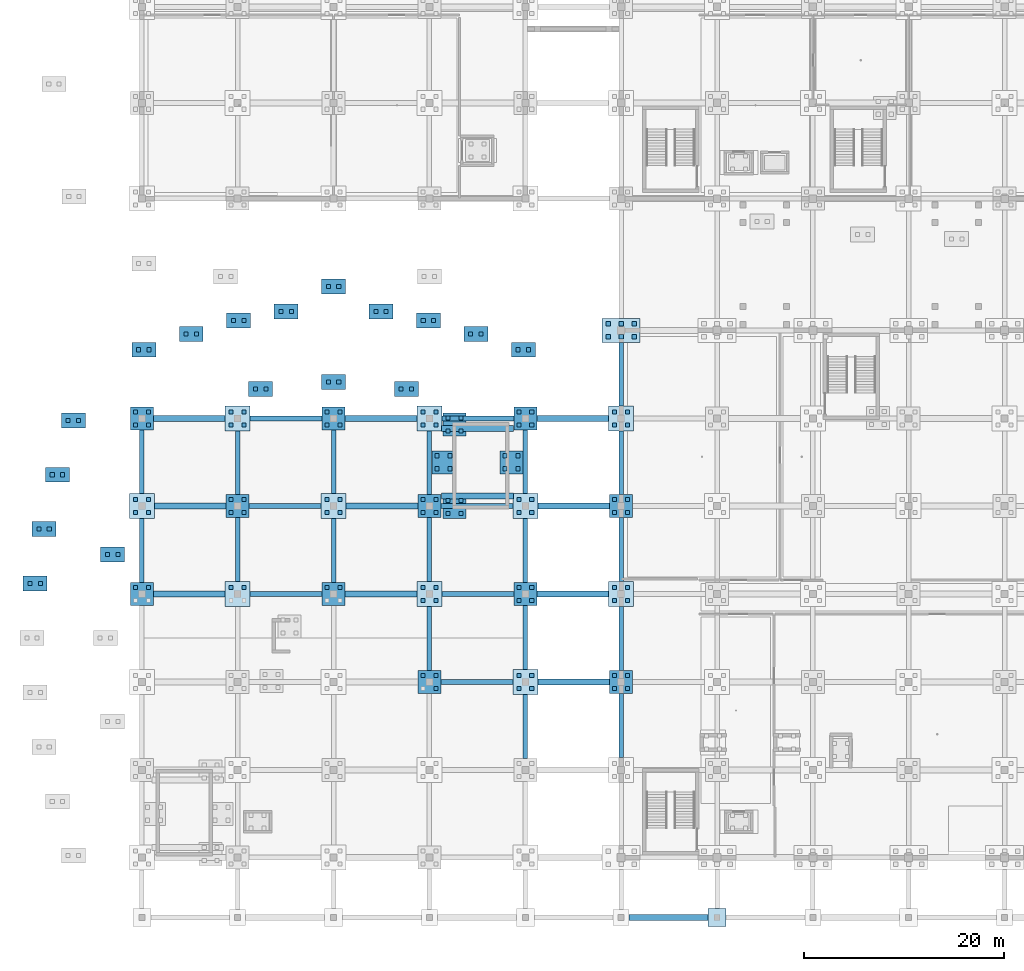
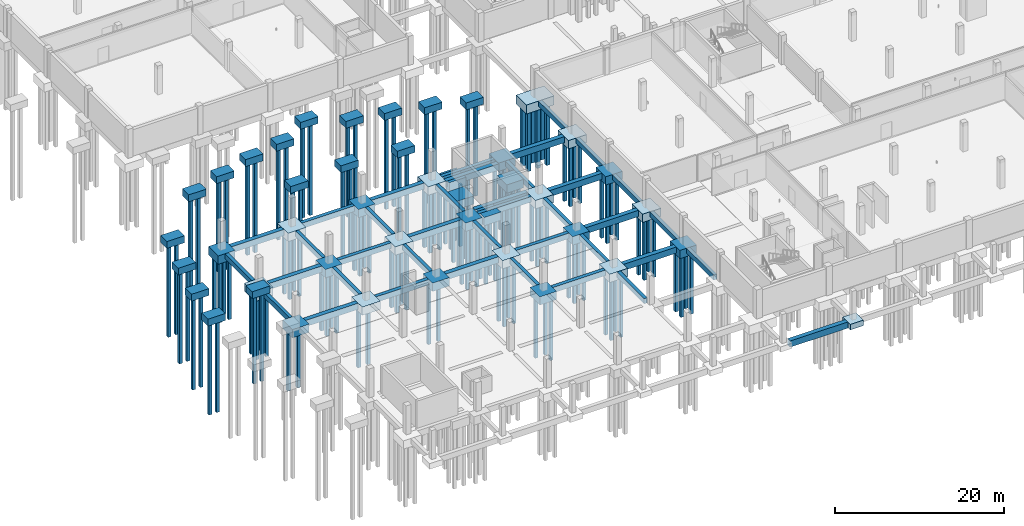
# One storey, part 2 of 31: 133 piles, 82 footings.
"""IFC4 building model written with IfcOpenShell, lengths in metres."""

import ifcopenshell
import ifcopenshell.guid

model = None  # the IFC model being written
_history = None  # IfcOwnerHistory: only IFC2X3 demands one
_inside = {}  # id of a spatial element -> (the spatial element, [elements in it])
_under = {}  # id of a project, library or spatial element -> (it, [spatial elements below it])
_declared = {}  # id of a project -> (the project, [libraries it declares])
_typed = {}  # id of a type object -> (the type object, [elements of that type])
_made_of = {}  # id of a material, layer set ... -> (it, [elements and type objects made of it])


def new_model(schema):
    """Start an empty IFC model of exactly this schema.

    Asked for "IFC4X3", IfcOpenShell would pick the latest addendum, in which some entities
    have other attributes; the version numbers below select the first issue.
    IFC2X3 requires an IfcOwnerHistory on every rooted entity: one is made here for all.
    """
    global model, _history
    if schema == "IFC4X3":
        model = ifcopenshell.file(schema_version=(4, 3, 0, 0))
    else:
        model = ifcopenshell.file(schema=schema)
    _inside.clear()
    _under.clear()
    _declared.clear()
    _typed.clear()
    _made_of.clear()
    _history = None
    if model.schema == "IFC2X3":
        org = make("IfcOrganization", Name="unknown")
        user = make(
            "IfcPersonAndOrganization",
            ThePerson=make("IfcPerson", FamilyName="unknown"),
            TheOrganization=org,
        )
        app = make(
            "IfcApplication",
            ApplicationDeveloper=org,
            Version="unknown",
            ApplicationFullName="unknown",
            ApplicationIdentifier="unknown",
        )
        _history = make(
            "IfcOwnerHistory",
            OwningUser=user,
            OwningApplication=app,
            ChangeAction="ADDED",
            CreationDate=0,
        )
    return model


def make(cls, **values):
    """One entity of the class cls with the attributes given. An attribute that is None is left unset."""
    return model.create_entity(
        cls, **{name: value for name, value in values.items() if value is not None}
    )


def rooted(cls, **values):
    """An entity with a GlobalId (a new one), such as an element, a storey or a relation."""
    return make(cls, GlobalId=ifcopenshell.guid.new(), OwnerHistory=_history, **values)


def si_unit(unit_type, name, prefix=None):
    """IfcSIUnit, for example si_unit("LENGTHUNIT", "METRE", prefix="MILLI")."""
    return make("IfcSIUnit", UnitType=unit_type, Prefix=prefix, Name=name)


def assignment(units):
    """IfcUnitAssignment: the units of a project."""
    return None if units is None else make("IfcUnitAssignment", Units=units)


def point(xyz):
    """IfcCartesianPoint."""
    return None if xyz is None else make("IfcCartesianPoint", Coordinates=xyz)


def direction(xyz):
    """IfcDirection."""
    return None if xyz is None else make("IfcDirection", DirectionRatios=xyz)


def frame(location, z_axis=None, x_axis=None):
    """IfcAxis2Placement3D, a coordinate frame: its origin and axes. An axis left out is left unset."""
    return make(
        "IfcAxis2Placement3D",
        Location=point(location),
        Axis=direction(z_axis),
        RefDirection=direction(x_axis),
    )


def frame_2d(location, x_axis=None):
    """IfcAxis2Placement2D, a coordinate frame in the plane: its origin and x axis."""
    return make(
        "IfcAxis2Placement2D", Location=point(location), RefDirection=direction(x_axis)
    )


def origin():
    """The frame at (0, 0, 0) with its axes left unset."""
    return frame((0.0, 0.0, 0.0))


def origin_2d():
    """The frame at (0, 0) in the plane with its x axis left unset."""
    return frame_2d((0.0, 0.0))


def place(relative_to, where):
    """IfcLocalPlacement: puts the frame where relative to a parent placement (None: the world)."""
    return make(
        "IfcLocalPlacement", PlacementRelTo=relative_to, RelativePlacement=where
    )


def context(
    kind, dimensions, precision=None, world=None, true_north=None, identifier=None
):
    """IfcGeometricRepresentationContext, for example the 3D "Model" context."""
    return make(
        "IfcGeometricRepresentationContext",
        ContextIdentifier=identifier,
        ContextType=kind,
        CoordinateSpaceDimension=dimensions,
        Precision=precision,
        WorldCoordinateSystem=world,
        TrueNorth=true_north,
    )


def subcontext(parent, identifier, kind, view, scale=None):
    """IfcGeometricRepresentationSubContext, for example "Body" below "Model"."""
    return make(
        "IfcGeometricRepresentationSubContext",
        ContextIdentifier=identifier,
        ContextType=kind,
        ParentContext=parent,
        TargetScale=scale,
        TargetView=view,
    )


def project(units=None, contexts=None):
    """IfcProject with its units and contexts."""
    return rooted(
        "IfcProject",
        Name="project",
        RepresentationContexts=contexts,
        UnitsInContext=assignment(units),
    )


def spatial(cls, under=None, at=None, **own):
    """A site, building, storey or space (cls), placed at a placement, below another one or the project."""
    s = rooted(cls, ObjectPlacement=at, **own)
    if under is not None:
        _under.setdefault(under.id(), (under, []))[1].append(s)
    return s


def profile(cls, at=None, kind="AREA", **sizes):
    """A parametric profile (cls). Its sizes go by their IFC names, for example OverallWidth=200.0."""
    return make(cls, ProfileType=kind, Position=at, **sizes)


def rectangle(**sizes):
    """IfcRectangleProfileDef."""
    return profile("IfcRectangleProfileDef", **sizes)


def extrude(swept, where, along, depth):
    """IfcExtrudedAreaSolid: the profile swept, set in the frame where, extruded along a direction by depth."""
    return make(
        "IfcExtrudedAreaSolid",
        SweptArea=swept,
        Position=where,
        ExtrudedDirection=direction(along),
        Depth=depth,
    )


def shape(context_of_items, identifier, shape_type, items):
    """IfcShapeRepresentation: the items that make up one representation, for example the "Body"."""
    return make(
        "IfcShapeRepresentation",
        ContextOfItems=context_of_items,
        RepresentationIdentifier=identifier,
        RepresentationType=shape_type,
        Items=items,
    )


def material(Name=None, Category=None):
    """IfcMaterial."""
    return make("IfcMaterial", Name=Name, Category=Category)


def layer(
    of_material, thickness, ventilated=None, Name=None, Category=None, Priority=None
):
    """IfcMaterialLayer: one layer of a wall or slab, of a material (None: an air gap)."""
    return make(
        "IfcMaterialLayer",
        Material=of_material,
        LayerThickness=thickness,
        IsVentilated=ventilated,
        Name=Name,
        Category=Category,
        Priority=Priority,
    )


def layer_set(layers, Name=None):
    """IfcMaterialLayerSet."""
    return make("IfcMaterialLayerSet", MaterialLayers=layers, LayerSetName=Name)


def material_profile(
    of_material, cross_section, Name=None, Category=None, Priority=None
):
    """IfcMaterialProfile: a cross section and its material."""
    return make(
        "IfcMaterialProfile",
        Name=Name,
        Material=of_material,
        Profile=cross_section,
        Priority=Priority,
        Category=Category,
    )


def profile_set(profiles, Name=None, composite=None):
    """IfcMaterialProfileSet."""
    return make(
        "IfcMaterialProfileSet",
        Name=Name,
        MaterialProfiles=profiles,
        CompositeProfile=composite,
    )


def made_of(thing, what):
    """Note that an element or type object is made of a material, layer set ...; save() writes the relation."""
    if what is not None:
        _made_of.setdefault(what.id(), (what, []))[1].append(thing)
    return thing


def type_object(cls, material=None, **own):
    """A type object (cls), such as IfcWallType, which elements share."""
    return made_of(rooted(cls, **own), material)


def element(
    cls,
    number,
    at=None,
    inside=None,
    cuts=None,
    type_object=None,
    material=None,
    context=None,
    identifier="Body",
    shape_type=None,
    held_by="IfcProductDefinitionShape",
    body=None,
    shapes=None,
    **own,
):
    """One element of the class cls, such as IfcWall. Its Tag is "e" and its number.

    at: its placement. inside: the storey or other place that contains it. cuts: it is an
    opening in that element (IfcRelVoidsElement). A single representation is given by context,
    identifier, shape_type and body (its items); several are given by shapes. held_by: the class
    of the entity that holds the representations. save() writes the other relations.
    """
    e = rooted(cls, Tag="e%d" % number, ObjectPlacement=at, **own)
    if body is not None:
        shapes = [shape(context, identifier, shape_type, body)]
    if shapes is not None:
        e.Representation = make(held_by, Representations=shapes)
    if inside is not None:
        _inside.setdefault(inside.id(), (inside, []))[1].append(e)
    if cuts is not None:
        rooted(
            "IfcRelVoidsElement", RelatingBuildingElement=cuts, RelatedOpeningElement=e
        )
    if type_object is not None:
        _typed.setdefault(type_object.id(), (type_object, []))[1].append(e)
    return made_of(e, material)


def aggregate(whole, parts):
    """IfcRelAggregates: a whole, such as a stair, and the parts it consists of."""
    return rooted("IfcRelAggregates", RelatingObject=whole, RelatedObjects=parts)


def save(model, path):
    """Write the relations noted so far, then the file.

    IfcRelAggregates (storeys below a building ...), IfcRelContainedInSpatialStructure (elements
    in a storey), IfcRelDefinesByType, IfcRelAssociatesMaterial and IfcRelDeclares: one each for
    every whole, place, type object, material and project.
    """
    for whole, parts in _under.values():
        aggregate(whole, parts)
    for where, things in _inside.values():
        rooted(
            "IfcRelContainedInSpatialStructure",
            RelatedElements=things,
            RelatingStructure=where,
        )
    for kind, things in _typed.values():
        rooted("IfcRelDefinesByType", RelatedObjects=things, RelatingType=kind)
    for what, things in _made_of.values():
        rooted("IfcRelAssociatesMaterial", RelatedObjects=things, RelatingMaterial=what)
    for by, libraries in _declared.values():
        rooted("IfcRelDeclares", RelatingContext=by, RelatedDefinitions=libraries)
    model.write(path)


model = new_model("IFC4")

# Units and contexts
model_context = context("Model", 3, precision=1e-05, world=origin(), true_north=direction((0.0, 1.0)))
body_context = subcontext(model_context, "Body", "Model", "MODEL_VIEW")
ifc_project = project(units=[si_unit("LENGTHUNIT", "METRE"), si_unit("AREAUNIT", "SQUARE_METRE"), si_unit("VOLUMEUNIT", "CUBIC_METRE"), si_unit("PLANEANGLEUNIT", "RADIAN"), si_unit("MASSUNIT", "GRAM", prefix="KILO")], contexts=[model_context])

# Site, building, storey
site_placement = place(None, origin())
site = spatial("IfcSite", under=ifc_project, at=site_placement, CompositionType="ELEMENT")
building_placement = place(site_placement, origin())
building = spatial("IfcBuilding", under=site, at=building_placement, Name="Chalmorin Arch Market", CompositionType="ELEMENT")
storey_placement = place(building_placement, frame((0.0, 0.0, -4.199951171875)))
storey = spatial("IfcBuildingStorey", under=building, at=storey_placement, Name="B1", CompositionType="ELEMENT", Elevation=-4.199951171875)

# Piles
ifc_material_1 = material(Name="Precast concrete C50/60", Category="concrete")
ifc_material_profile_1 = material_profile(ifc_material_1, rectangle(XDim=0.406005859375, YDim=0.406005859375, at=origin_2d()), Name="PPC406")
ifc_profile_set_1 = profile_set([ifc_material_profile_1], Name="Precast concrete C50/60")
pile_type_1 = type_object("IfcPileType", Name="DrivenSquarePile-406", PredefinedType="DRIVEN", material=ifc_profile_set_1)
for number, where, z_axis, x_axis, name in (
    (1, (-0.64990234375, 33.050048828125, -1.10009765625), (0.0, 0.0, -1.0), (1.0, 0.0, 0.0), "P-406-015"),
    (2, (0.64990234375, 33.050048828125, -1.10009765625), (0.0, 0.0, -1.0), (1.0, 0.0, 0.0), "P-406-016"),
    (3, (-0.64990234375, 40.550048828125, -1.10009765625), (0.0, 0.0, -1.0), (1.0, 0.0, 0.0), "P-406-017"),
    (4, (0.64990234375, 40.550048828125, -1.10009765625), (0.0, 0.0, -1.0), (1.0, 0.0, 0.0), "P-406-018"),
    (5, (-0.64990234375, 41.85009765625, -1.10009765625), (0.0, 0.0, -1.0), (1.0, 0.0, 0.0), "P-406-019"),
    (6, (0.64990234375, 41.85009765625, -1.10009765625), (0.0, 0.0, -1.0), (1.0, 0.0, 0.0), "P-406-020"),
    (7, (-0.64990234375, 49.35009765625, -1.10009765625), (0.0, 0.0, -1.0), (1.0, 0.0, 0.0), "P-406-021"),
    (8, (0.64990234375, 49.35009765625, -1.10009765625), (0.0, 0.0, -1.0), (1.0, 0.0, 0.0), "P-406-022"),
    (9, (-0.64990234375, 50.64990234375, -1.10009765625), (0.0, 0.0, -1.0), (1.0, 0.0, 0.0), "P-406-023"),
    (10, (0.64990234375, 50.64990234375, -1.10009765625), (0.0, 0.0, -1.0), (1.0, 0.0, 0.0), "P-406-024"),
    (11, (8.949951171875, 33.050048828125, -1.10009765625), (0.0, 0.0, -1.0), (1.0, 0.0, 0.0), "P-406-063"),
    (12, (10.25, 33.050048828125, -1.10009765625), (0.0, 0.0, -1.0), (1.0, 0.0, 0.0), "P-406-064"),
    (13, (8.949951171875, 40.550048828125, -1.10009765625), (0.0, 0.0, -1.0), (1.0, 0.0, 0.0), "P-406-065"),
    (14, (10.25, 40.550048828125, -1.10009765625), (0.0, 0.0, -1.0), (1.0, 0.0, 0.0), "P-406-066"),
    (15, (8.949951171875, 41.85009765625, -1.10009765625), (0.0, 0.0, -1.0), (1.0, 0.0, 0.0), "P-406-067"),
    (16, (10.25, 41.85009765625, -1.10009765625), (0.0, 0.0, -1.0), (1.0, 0.0, 0.0), "P-406-068"),
    (17, (8.949951171875, 49.35009765625, -1.10009765625), (0.0, 0.0, -1.0), (1.0, 0.0, 0.0), "P-406-069"),
    (18, (10.25, 49.35009765625, -1.10009765625), (0.0, 0.0, -1.0), (1.0, 0.0, 0.0), "P-406-070"),
    (19, (8.949951171875, 50.64990234375, -1.10009765625), (0.0, 0.0, -1.0), (1.0, 0.0, 0.0), "P-406-071"),
    (20, (10.25, 50.64990234375, -1.10009765625), (0.0, 0.0, -1.0), (1.0, 0.0, 0.0), "P-406-072"),
    (21, (18.550048828125, 33.050048828125, -1.10009765625), (0.0, 0.0, -1.0), (1.0, 0.0, 0.0), "P-406-111"),
    (22, (19.85009765625, 33.050048828125, -1.10009765625), (0.0, 0.0, -1.0), (1.0, 0.0, 0.0), "P-406-112"),
    (23, (18.550048828125, 40.550048828125, -1.10009765625), (0.0, 0.0, -1.0), (1.0, 0.0, 0.0), "P-406-113"),
    (24, (19.85009765625, 40.550048828125, -1.10009765625), (0.0, 0.0, -1.0), (1.0, 0.0, 0.0), "P-406-114"),
    (25, (18.550048828125, 41.85009765625, -1.10009765625), (0.0, 0.0, -1.0), (1.0, 0.0, 0.0), "P-406-115"),
    (26, (19.85009765625, 41.85009765625, -1.10009765625), (0.0, 0.0, -1.0), (1.0, 0.0, 0.0), "P-406-116"),
    (27, (18.550048828125, 49.35009765625, -1.10009765625), (0.0, 0.0, -1.0), (1.0, 0.0, 0.0), "P-406-117"),
    (28, (19.85009765625, 49.35009765625, -1.10009765625), (0.0, 0.0, -1.0), (1.0, 0.0, 0.0), "P-406-118"),
    (29, (18.550048828125, 50.64990234375, -1.10009765625), (0.0, 0.0, -1.0), (1.0, 0.0, 0.0), "P-406-119"),
    (30, (19.85009765625, 50.64990234375, -1.10009765625), (0.0, 0.0, -1.0), (1.0, 0.0, 0.0), "P-406-120"),
    (31, (29.449951171875, 22.949951171875, -1.10009765625), (0.0, 0.0, -1.0), (1.0, 0.0, 0.0), "P-406-154"),
    (32, (28.14990234375, 24.25, -1.10009765625), (0.0, 0.0, -1.0), (1.0, 0.0, 0.0), "P-406-155"),
    (33, (29.449951171875, 24.25, -1.10009765625), (0.0, 0.0, -1.0), (1.0, 0.0, 0.0), "P-406-156"),
    (34, (28.14990234375, 31.75, -1.10009765625), (0.0, 0.0, -1.0), (1.0, 0.0, 0.0), "P-406-157"),
    (35, (29.449951171875, 31.75, -1.10009765625), (0.0, 0.0, -1.0), (1.0, 0.0, 0.0), "P-406-158"),
    (36, (28.14990234375, 33.050048828125, -1.10009765625), (0.0, 0.0, -1.0), (1.0, 0.0, 0.0), "P-406-159"),
    (37, (29.449951171875, 33.050048828125, -1.10009765625), (0.0, 0.0, -1.0), (1.0, 0.0, 0.0), "P-406-160"),
    (38, (28.14990234375, 40.550048828125, -1.10009765625), (0.0, 0.0, -1.0), (1.0, 0.0, 0.0), "P-406-161"),
    (39, (29.449951171875, 40.550048828125, -1.10009765625), (0.0, 0.0, -1.0), (1.0, 0.0, 0.0), "P-406-162"),
    (40, (28.14990234375, 41.85009765625, -1.10009765625), (0.0, 0.0, -1.0), (1.0, 0.0, 0.0), "P-406-163"),
    (41, (29.449951171875, 41.85009765625, -1.10009765625), (0.0, 0.0, -1.0), (1.0, 0.0, 0.0), "P-406-164"),
    (42, (28.14990234375, 49.35009765625, -1.10009765625), (0.0, 0.0, -1.0), (1.0, 0.0, 0.0), "P-406-165"),
    (43, (29.449951171875, 49.35009765625, -1.10009765625), (0.0, 0.0, -1.0), (1.0, 0.0, 0.0), "P-406-166"),
    (44, (28.14990234375, 50.64990234375, -1.10009765625), (0.0, 0.0, -1.0), (1.0, 0.0, 0.0), "P-406-167"),
    (45, (29.449951171875, 50.64990234375, -1.10009765625), (0.0, 0.0, -1.0), (1.0, 0.0, 0.0), "P-406-168"),
    (46, (37.75, 22.949951171875, -1.10009765625), (0.0, 0.0, -1.0), (1.0, 0.0, 0.0), "P-406-201"),
    (47, (39.050048828125, 22.949951171875, -1.10009765625), (0.0, 0.0, -1.0), (1.0, 0.0, 0.0), "P-406-202"),
    (48, (37.75, 24.25, -1.10009765625), (0.0, 0.0, -1.0), (1.0, 0.0, 0.0), "P-406-203"),
    (49, (39.050048828125, 24.25, -1.10009765625), (0.0, 0.0, -1.0), (1.0, 0.0, 0.0), "P-406-204"),
    (50, (37.75, 31.75, -1.10009765625), (0.0, 0.0, -1.0), (1.0, 0.0, 0.0), "P-406-205"),
    (51, (39.050048828125, 31.75, -1.10009765625), (0.0, 0.0, -1.0), (1.0, 0.0, 0.0), "P-406-206"),
    (52, (37.75, 33.050048828125, -1.10009765625), (0.0, 0.0, -1.0), (1.0, 0.0, 0.0), "P-406-207"),
    (53, (39.050048828125, 33.050048828125, -1.10009765625), (0.0, 0.0, -1.0), (1.0, 0.0, 0.0), "P-406-208"),
    (54, (37.75, 40.550048828125, -1.10009765625), (0.0, 0.0, -1.0), (1.0, 0.0, 0.0), "P-406-209"),
    (55, (39.050048828125, 40.550048828125, -1.10009765625), (0.0, 0.0, -1.0), (1.0, 0.0, 0.0), "P-406-210"),
    (56, (37.75, 41.85009765625, -1.10009765625), (0.0, 0.0, -1.0), (1.0, 0.0, 0.0), "P-406-211"),
    (57, (39.050048828125, 41.85009765625, -1.10009765625), (0.0, 0.0, -1.0), (1.0, 0.0, 0.0), "P-406-212"),
    (58, (37.75, 49.35009765625, -1.10009765625), (0.0, 0.0, -1.0), (1.0, 0.0, 0.0), "P-406-213"),
    (59, (39.050048828125, 49.35009765625, -1.10009765625), (0.0, 0.0, -1.0), (1.0, 0.0, 0.0), "P-406-214"),
    (60, (37.75, 50.64990234375, -1.10009765625), (0.0, 0.0, -1.0), (1.0, 0.0, 0.0), "P-406-215"),
    (61, (39.050048828125, 50.64990234375, -1.10009765625), (0.0, 0.0, -1.0), (1.0, 0.0, 0.0), "P-406-216"),
    (62, (47.35009765625, 22.949951171875, -1.10009765625), (0.0, 0.0, -1.0), (1.0, 0.0, 0.0), "P-406-251"),
    (63, (48.64990234375, 22.949951171875, -1.10009765625), (0.0, 0.0, -1.0), (1.0, 0.0, 0.0), "P-406-252"),
    (64, (47.35009765625, 24.25, -1.10009765625), (0.0, 0.0, -1.0), (1.0, 0.0, 0.0), "P-406-253"),
    (65, (48.64990234375, 24.25, -1.10009765625), (0.0, 0.0, -1.0), (1.0, 0.0, 0.0), "P-406-254"),
    (66, (47.35009765625, 31.75, -1.10009765625), (0.0, 0.0, -1.0), (1.0, 0.0, 0.0), "P-406-255"),
    (67, (48.64990234375, 31.75, -1.10009765625), (0.0, 0.0, -1.0), (1.0, 0.0, 0.0), "P-406-256"),
    (68, (47.35009765625, 33.050048828125, -1.10009765625), (0.0, 0.0, -1.0), (1.0, 0.0, 0.0), "P-406-257"),
    (69, (48.64990234375, 33.050048828125, -1.10009765625), (0.0, 0.0, -1.0), (1.0, 0.0, 0.0), "P-406-258"),
    (70, (47.35009765625, 40.550048828125, -1.10009765625), (0.0, 0.0, -1.0), (1.0, 0.0, 0.0), "P-406-259"),
    (71, (48.64990234375, 40.550048828125, -1.10009765625), (0.0, 0.0, -1.0), (1.0, 0.0, 0.0), "P-406-260"),
    (72, (47.35009765625, 41.85009765625, -1.10009765625), (0.0, 0.0, -1.0), (1.0, 0.0, 0.0), "P-406-261"),
    (73, (48.64990234375, 41.85009765625, -1.10009765625), (0.0, 0.0, -1.0), (1.0, 0.0, 0.0), "P-406-262"),
    (74, (47.35009765625, 49.35009765625, -1.10009765625), (0.0, 0.0, -1.0), (1.0, 0.0, 0.0), "P-406-263"),
    (75, (48.64990234375, 49.35009765625, -1.10009765625), (0.0, 0.0, -1.0), (1.0, 0.0, 0.0), "P-406-264"),
    (76, (47.35009765625, 50.64990234375, -1.10009765625), (0.0, 0.0, -1.0), (1.0, 0.0, 0.0), "P-406-265"),
    (77, (48.64990234375, 50.64990234375, -1.10009765625), (0.0, 0.0, -1.0), (1.0, 0.0, 0.0), "P-406-266"),
    (78, (29.550048828125, 44.949951171875, -1.10009765625), (0.0, 0.0, -1.0), (1.0, 0.0, 0.0), "P-406-743"),
    (79, (30.85009765625, 44.949951171875, -1.10009765625), (0.0, 0.0, -1.0), (1.0, 0.0, 0.0), "P-406-744"),
    (80, (29.550048828125, 46.25, -1.10009765625), (0.0, 0.0, -1.0), (1.0, 0.0, 0.0), "P-406-745"),
    (81, (30.85009765625, 46.25, -1.10009765625), (0.0, 0.0, -1.0), (1.0, 0.0, 0.0), "P-406-746"),
    (82, (36.35009765625, 44.949951171875, -1.10009765625), (0.0, 0.0, -1.0), (1.0, 0.0, 0.0), "P-406-747"),
    (83, (37.64990234375, 44.949951171875, -1.10009765625), (0.0, 0.0, -1.0), (1.0, 0.0, 0.0), "P-406-748"),
    (84, (36.35009765625, 46.25, -1.10009765625), (0.0, 0.0, -1.0), (1.0, 0.0, 0.0), "P-406-749"),
    (85, (37.64990234375, 46.25, -1.10009765625), (0.0, 0.0, -1.0), (1.0, 0.0, 0.0), "P-406-750"),
):
    element("IfcPile", number, at=place(storey_placement, frame(where, z_axis=z_axis, x_axis=x_axis)), inside=storey, type_object=pile_type_1, Name=name, PredefinedType="DRIVEN", context=body_context, shape_type="SweptSolid", body=[
        extrude(rectangle(XDim=0.406005859375, YDim=0.406005859375, at=origin_2d()), origin(), (0.0, 0.0, 1.0), 8.89990234375),
    ])
for number, where, z_axis, x_axis, name in (
    (86, (11.384033203125, 52.924072265625, 2.97998046875), (0.0, 0.0, -1.0), (1.0, 0.0, 0.0), "P-406-793"),
    (87, (12.424072265625, 52.924072265625, 2.97998046875), (0.0, 0.0, -1.0), (1.0, 0.0, 0.0), "P-406-794"),
    (88, (18.679931640625, 53.64990234375, 2.97998046875), (0.0, 0.0, -1.0), (1.0, 0.0, 0.0), "P-406-797"),
    (89, (19.719970703125, 53.64990234375, 2.97998046875), (0.0, 0.0, -1.0), (1.0, 0.0, 0.0), "P-406-798"),
    (90, (-3.444091796875, 36.360107421875, 2.97998046875), (0.0, 0.0, -1.0), (1.0, 0.0, 0.0), "P-406-799"),
    (91, (-2.404052734375, 36.360107421875, 2.97998046875), (0.0, 0.0, -1.0), (1.0, 0.0, 0.0), "P-406-800"),
    (92, (25.97607421875, 52.924072265625, 2.97998046875), (0.0, 0.0, -1.0), (1.0, 0.0, 0.0), "P-406-801"),
    (93, (27.01611328125, 52.924072265625, 2.97998046875), (0.0, 0.0, -1.0), (1.0, 0.0, 0.0), "P-406-802"),
):
    element("IfcPile", number, at=place(storey_placement, frame(where, z_axis=z_axis, x_axis=x_axis)), inside=storey, type_object=pile_type_1, Name=name, PredefinedType="DRIVEN", context=body_context, shape_type="SweptSolid", body=[
        extrude(rectangle(XDim=0.406005859375, YDim=0.406005859375, at=origin_2d()), origin(), (0.0, 0.0, 1.0), 12.97998046875),
    ])
for number, where, z_axis, x_axis, name in (
    (94, (18.679931640625, 63.199951171875, 3.47998046875), (0.0, 0.0, -1.0), (1.0, 0.0, 0.0), "P-406-827"),
    (95, (19.719970703125, 63.199951171875, 3.47998046875), (0.0, 0.0, -1.0), (1.0, 0.0, 0.0), "P-406-828"),
    (96, (-11.2060546875, 33.449951171875, 3.47998046875), (0.0, 0.0, -1.0), (1.0, 0.0, 0.0), "P-406-889"),
    (97, (-10.166015625, 33.449951171875, 3.47998046875), (0.0, 0.0, -1.0), (1.0, 0.0, 0.0), "P-406-890"),
    (98, (-10.31103515625, 38.89990234375, 3.47998046875), (0.0, 0.0, -1.0), (1.0, 0.0, 0.0), "P-406-891"),
    (99, (-9.27099609375, 38.89990234375, 3.47998046875), (0.0, 0.0, -1.0), (1.0, 0.0, 0.0), "P-406-892"),
    (100, (-8.968994140625, 44.35009765625, 3.47998046875), (0.0, 0.0, -1.0), (1.0, 0.0, 0.0), "P-406-893"),
    (101, (-7.928955078125, 44.35009765625, 3.47998046875), (0.0, 0.0, -1.0), (1.0, 0.0, 0.0), "P-406-894"),
    (102, (-7.3798828125, 49.800048828125, 3.47998046875), (0.0, 0.0, -1.0), (1.0, 0.0, 0.0), "P-406-895"),
    (103, (-6.340087890625, 49.800048828125, 3.47998046875), (0.0, 0.0, -1.0), (1.0, 0.0, 0.0), "P-406-896"),
    (104, (-0.320068359375, 56.868896484375, 3.47998046875), (0.0, 0.0, -1.0), (1.0, 0.0, 0.0), "P-406-897"),
    (105, (0.719970703125, 56.868896484375, 3.47998046875), (0.0, 0.0, -1.0), (1.0, 0.0, 0.0), "P-406-898"),
    (106, (4.429931640625, 58.455078125, 3.47998046875), (0.0, 0.0, -1.0), (1.0, 0.0, 0.0), "P-406-899"),
    (107, (5.469970703125, 58.455078125, 3.47998046875), (0.0, 0.0, -1.0), (1.0, 0.0, 0.0), "P-406-900"),
    (108, (9.179931640625, 59.7939453125, 3.47998046875), (0.0, 0.0, -1.0), (1.0, 0.0, 0.0), "P-406-901"),
    (109, (10.219970703125, 59.7939453125, 3.47998046875), (0.0, 0.0, -1.0), (1.0, 0.0, 0.0), "P-406-902"),
    (110, (13.929931640625, 60.68701171875, 3.47998046875), (0.0, 0.0, -1.0), (1.0, 0.0, 0.0), "P-406-903"),
    (111, (14.969970703125, 60.68701171875, 3.47998046875), (0.0, 0.0, -1.0), (1.0, 0.0, 0.0), "P-406-904"),
    (112, (23.429931640625, 60.68701171875, 3.47998046875), (0.0, 0.0, -1.0), (1.0, 0.0, 0.0), "P-406-905"),
    (113, (24.469970703125, 60.68701171875, 3.47998046875), (0.0, 0.0, -1.0), (1.0, 0.0, 0.0), "P-406-906"),
    (114, (28.179931640625, 59.7939453125, 3.47998046875), (0.0, 0.0, -1.0), (1.0, 0.0, 0.0), "P-406-907"),
    (115, (29.219970703125, 59.7939453125, 3.47998046875), (0.0, 0.0, -1.0), (1.0, 0.0, 0.0), "P-406-908"),
    (116, (32.929931640625, 58.455078125, 3.47998046875), (0.0, 0.0, -1.0), (1.0, 0.0, 0.0), "P-406-909"),
    (117, (33.969970703125, 58.455078125, 3.47998046875), (0.0, 0.0, -1.0), (1.0, 0.0, 0.0), "P-406-910"),
    (118, (37.679931640625, 56.868896484375, 3.47998046875), (0.0, 0.0, -1.0), (1.0, 0.0, 0.0), "P-406-911"),
    (119, (38.719970703125, 56.868896484375, 3.47998046875), (0.0, 0.0, -1.0), (1.0, 0.0, 0.0), "P-406-912"),
):
    element("IfcPile", number, at=place(storey_placement, frame(where, z_axis=z_axis, x_axis=x_axis)), inside=storey, type_object=pile_type_1, Name=name, PredefinedType="DRIVEN", context=body_context, shape_type="SweptSolid", body=[
        extrude(rectangle(XDim=0.406005859375, YDim=0.406005859375, at=origin_2d()), origin(), (0.0, 0.0, 1.0), 13.47998046875),
    ])
for number, where, z_axis, x_axis, name in (
    (120, (30.64990234375, 40.449951171875, -1.10009765625), (0.0, 0.0, -1.0), (1.0, 0.0, 0.0), "P-406-929"),
    (121, (31.949951171875, 40.449951171875, -1.10009765625), (0.0, 0.0, -1.0), (1.0, 0.0, 0.0), "P-406-930"),
    (122, (30.64990234375, 41.75, -1.10009765625), (0.0, 0.0, -1.0), (1.0, 0.0, 0.0), "P-406-931"),
    (123, (31.949951171875, 41.75, -1.10009765625), (0.0, 0.0, -1.0), (1.0, 0.0, 0.0), "P-406-932"),
    (124, (30.64990234375, 48.75, -1.10009765625), (0.0, 0.0, -1.0), (1.0, 0.0, 0.0), "P-406-933"),
    (125, (31.949951171875, 48.75, -1.10009765625), (0.0, 0.0, -1.0), (1.0, 0.0, 0.0), "P-406-934"),
    (126, (30.64990234375, 50.050048828125, -1.10009765625), (0.0, 0.0, -1.0), (1.0, 0.0, 0.0), "P-406-935"),
    (127, (31.949951171875, 50.050048828125, -1.10009765625), (0.0, 0.0, -1.0), (1.0, 0.0, 0.0), "P-406-936"),
):
    element("IfcPile", number, at=place(storey_placement, frame(where, z_axis=z_axis, x_axis=x_axis)), inside=storey, type_object=pile_type_1, Name=name, PredefinedType="DRIVEN", context=body_context, shape_type="SweptSolid", body=[
        extrude(rectangle(XDim=0.406005859375, YDim=0.406005859375, at=origin_2d()), origin(), (0.0, 0.0, 1.0), 8.89990234375),
    ])
ifc_material_profile_2 = material_profile(ifc_material_1, rectangle(XDim=0.45703125, YDim=0.45703125, at=origin_2d()), Name="PPC457")
ifc_profile_set_2 = profile_set([ifc_material_profile_2], Name="Precast concrete C50/60")
pile_type_2 = type_object("IfcPileType", Name="DrivenSquarePile-457", PredefinedType="DRIVEN", material=ifc_profile_set_2)
for number, where, z_axis, x_axis, name in (
    (128, (46.699951171875, 58.14990234375, -1.199951171875), (0.0, 0.0, -1.0), (1.0, 0.0, 0.0), "P-457-267"),
    (129, (48.0, 58.14990234375, -1.199951171875), (0.0, 0.0, -1.0), (1.0, 0.0, 0.0), "P-457-268"),
    (130, (49.300048828125, 58.14990234375, -1.199951171875), (0.0, 0.0, -1.0), (1.0, 0.0, 0.0), "P-457-269"),
    (131, (46.699951171875, 59.449951171875, -1.199951171875), (0.0, 0.0, -1.0), (1.0, 0.0, 0.0), "P-457-270"),
    (132, (48.0, 59.449951171875, -1.199951171875), (0.0, 0.0, -1.0), (1.0, 0.0, 0.0), "P-457-271"),
    (133, (49.300048828125, 59.449951171875, -1.199951171875), (0.0, 0.0, -1.0), (1.0, 0.0, 0.0), "P-457-272"),
):
    element("IfcPile", number, at=place(storey_placement, frame(where, z_axis=z_axis, x_axis=x_axis)), inside=storey, type_object=pile_type_2, Name=name, PredefinedType="DRIVEN", context=body_context, shape_type="SweptSolid", body=[
        extrude(rectangle(XDim=0.45703125, YDim=0.45703125, at=origin_2d()), origin(), (0.0, 0.0, 1.0), 8.800048828125),
    ])

# Footings
ifc_material_2 = material(Name="Concrete C40/50", Category="concrete")
ifc_layer_1 = layer(ifc_material_2, 0.75)
ifc_layer_set_1 = layer_set([ifc_layer_1], Name="Concrete C40/50")
footing_type_1 = type_object("IfcFootingType", Name="FoundationTieBeam-450x750-L6350", PredefinedType="FOOTING_BEAM", material=ifc_layer_set_1)
footing_1_placement = place(storey_placement, frame((48.0, 54.425048828125, -0.75), z_axis=(0.0, 0.0, 1.0), x_axis=(0.0, 1.0, 0.0)))
element("IfcFooting", 134, at=footing_1_placement, inside=storey, type_object=footing_type_1, Name="FTB-03-239", PredefinedType="FOOTING_BEAM", context=body_context, shape_type="SweptSolid", body=[
    extrude(rectangle(XDim=6.35009765625, YDim=0.449951171875, at=origin_2d()), origin(), (0.0, 0.0, 1.0), 0.75),
])
ifc_layer_2 = layer(ifc_material_2, 0.75)
ifc_layer_set_2 = layer_set([ifc_layer_2], Name="Concrete C40/50")
footing_type_2 = type_object("IfcFootingType", Name="FoundationTieBeam-450x750-L6400", PredefinedType="FOOTING_BEAM", material=ifc_layer_set_2)
for number, where, z_axis, x_axis, name in (
    (135, (0.0, 36.75, -0.75), (0.0, 0.0, 1.0), (0.0, 1.0, 0.0), "FTB-03-182"),
    (136, (0.0, 45.64990234375, -0.75), (0.0, 0.0, 1.0), (0.0, 1.0, 0.0), "FTB-03-183"),
    (137, (9.60009765625, 36.85009765625, -0.75), (0.0, 0.0, 1.0), (0.0, 1.0, 0.0), "FTB-03-193"),
    (138, (9.60009765625, 45.550048828125, -0.75), (0.0, 0.0, 1.0), (0.0, 1.0, 0.0), "FTB-03-194"),
    (139, (19.199951171875, 36.75, -0.75), (0.0, 0.0, 1.0), (0.0, 1.0, 0.0), "FTB-03-204"),
    (140, (19.199951171875, 45.64990234375, -0.75), (0.0, 0.0, 1.0), (0.0, 1.0, 0.0), "FTB-03-205"),
    (141, (28.800048828125, 27.949951171875, -0.75), (0.0, 0.0, 1.0), (0.0, 1.0, 0.0), "FTB-03-214"),
    (142, (28.800048828125, 36.85009765625, -0.75), (0.0, 0.0, 1.0), (0.0, 1.0, 0.0), "FTB-03-215"),
    (143, (28.800048828125, 45.550048828125, -0.75), (0.0, 0.0, 1.0), (0.0, 1.0, 0.0), "FTB-03-216"),
    (144, (38.39990234375, 19.14990234375, -0.75), (0.0, 0.0, 1.0), (0.0, 1.0, 0.0), "FTB-03-224"),
    (145, (38.39990234375, 28.050048828125, -0.75), (0.0, 0.0, 1.0), (0.0, 1.0, 0.0), "FTB-03-225"),
    (146, (38.39990234375, 36.75, -0.75), (0.0, 0.0, 1.0), (0.0, 1.0, 0.0), "FTB-03-226"),
    (147, (38.39990234375, 45.64990234375, -0.75), (0.0, 0.0, 1.0), (0.0, 1.0, 0.0), "FTB-03-227"),
    (148, (48.0, 19.25, -0.75), (0.0, 0.0, 1.0), (0.0, 1.0, 0.0), "FTB-03-235"),
    (149, (48.0, 27.949951171875, -0.75), (0.0, 0.0, 1.0), (0.0, 1.0, 0.0), "FTB-03-236"),
    (150, (48.0, 36.85009765625, -0.75), (0.0, 0.0, 1.0), (0.0, 1.0, 0.0), "FTB-03-237"),
    (151, (48.0, 45.550048828125, -0.75), (0.0, 0.0, 1.0), (0.0, 1.0, 0.0), "FTB-03-238"),
):
    element("IfcFooting", number, at=place(storey_placement, frame(where, z_axis=z_axis, x_axis=x_axis)), inside=storey, type_object=footing_type_2, Name=name, PredefinedType="FOOTING_BEAM", context=body_context, shape_type="SweptSolid", body=[
        extrude(rectangle(XDim=6.39990234375, YDim=0.449951171875, at=origin_2d()), origin(), (0.0, 0.0, 1.0), 0.75),
    ])
ifc_layer_3 = layer(ifc_material_2, 0.800048828125)
ifc_layer_set_3 = layer_set([ifc_layer_3], Name="Concrete C40/50")
footing_type_3 = type_object("IfcFootingType", Name="FoundationTieBeam-500x800-L7200", PredefinedType="FOOTING_BEAM", material=ifc_layer_set_3)
for number, where, z_axis, x_axis, name in (
    (152, (33.550048828125, 23.60009765625, -0.80029296875), (0.0, 0.0, 1.0), (1.0, 0.0, 0.0), "FTB-02-045"),
    (153, (14.449951171875, 32.39990234375, -0.80029296875), (0.0, 0.0, 1.0), (1.0, 0.0, 0.0), "FTB-02-057"),
    (154, (33.64990234375, 32.39990234375, -0.80029296875), (0.0, 0.0, 1.0), (1.0, 0.0, 0.0), "FTB-02-059"),
    (155, (14.35009765625, 41.199951171875, -0.80029296875), (0.0, 0.0, 1.0), (1.0, 0.0, 0.0), "FTB-02-071"),
    (156, (33.550048828125, 41.199951171875, -0.80029296875), (0.0, 0.0, 1.0), (1.0, 0.0, 0.0), "FTB-02-073"),
    (157, (14.449951171875, 50.0, -0.80029296875), (0.0, 0.0, 1.0), (1.0, 0.0, 0.0), "FTB-02-085"),
    (158, (33.64990234375, 50.0, -0.80029296875), (0.0, 0.0, 1.0), (1.0, 0.0, 0.0), "FTB-02-087"),
):
    element("IfcFooting", number, at=place(storey_placement, frame(where, z_axis=z_axis, x_axis=x_axis)), inside=storey, type_object=footing_type_3, Name=name, PredefinedType="FOOTING_BEAM", context=body_context, shape_type="SweptSolid", body=[
        extrude(rectangle(XDim=7.199951171875, YDim=0.5, at=origin_2d()), origin(), (0.0, 0.0, 1.0), 0.800048828125),
    ])
ifc_layer_4 = layer(ifc_material_2, 0.89990234375)
ifc_layer_set_4 = layer_set([ifc_layer_4], Name="Concrete C40/50")
footing_type_4 = type_object("IfcFootingType", Name="FoundationTieBeam-600x900-L7200", PredefinedType="FOOTING_BEAM", material=ifc_layer_set_4)
for number, where, z_axis, x_axis, name in (
    (159, (43.25, 23.60009765625, -0.89990234375), (0.0, 0.0, 1.0), (1.0, 0.0, 0.0), "FTB-01-046"),
    (160, (4.75, 32.39990234375, -0.89990234375), (0.0, 0.0, 1.0), (1.0, 0.0, 0.0), "FTB-01-056"),
    (161, (23.949951171875, 32.39990234375, -0.89990234375), (0.0, 0.0, 1.0), (1.0, 0.0, 0.0), "FTB-01-058"),
    (162, (43.14990234375, 32.39990234375, -0.89990234375), (0.0, 0.0, 1.0), (1.0, 0.0, 0.0), "FTB-01-060"),
    (163, (4.85009765625, 41.199951171875, -0.89990234375), (0.0, 0.0, 1.0), (1.0, 0.0, 0.0), "FTB-01-070"),
    (164, (24.050048828125, 41.199951171875, -0.89990234375), (0.0, 0.0, 1.0), (1.0, 0.0, 0.0), "FTB-01-072"),
    (165, (43.25, 41.199951171875, -0.89990234375), (0.0, 0.0, 1.0), (1.0, 0.0, 0.0), "FTB-01-074"),
    (166, (4.75, 50.0, -0.89990234375), (0.0, 0.0, 1.0), (1.0, 0.0, 0.0), "FTB-01-084"),
    (167, (23.949951171875, 50.0, -0.89990234375), (0.0, 0.0, 1.0), (1.0, 0.0, 0.0), "FTB-01-086"),
    (168, (43.14990234375, 50.0, -0.89990234375), (0.0, 0.0, 1.0), (1.0, 0.0, 0.0), "FTB-01-088"),
    (169, (33.60009765625, 42.199951171875, -0.89990234375), (0.0, 0.0, 1.0), (1.0, 0.0, 0.0), "FTB-01-354"),
    (170, (33.60009765625, 49.0, -0.89990234375), (0.0, 0.0, 1.0), (1.0, 0.0, 0.0), "FTB-01-355"),
):
    element("IfcFooting", number, at=place(storey_placement, frame(where, z_axis=z_axis, x_axis=x_axis)), inside=storey, type_object=footing_type_4, Name=name, PredefinedType="FOOTING_BEAM", context=body_context, shape_type="SweptSolid", body=[
        extrude(rectangle(XDim=7.199951171875, YDim=0.60009765625, at=origin_2d()), origin(), (0.0, 0.0, 1.0), 0.89990234375),
    ])
ifc_layer_5 = layer(ifc_material_2, 0.89990234375)
ifc_layer_set_5 = layer_set([ifc_layer_5], Name="Concrete C40/50")
footing_type_5 = type_object("IfcFootingType", Name="FoundationTieBeam-600x900-L7900", PredefinedType="FOOTING_BEAM", material=ifc_layer_set_5)
footing_2_placement = place(storey_placement, frame((52.75, 0.0, -0.89990234375), z_axis=(0.0, 0.0, 1.0), x_axis=(1.0, 0.0, 0.0)))
element("IfcFooting", 171, at=footing_2_placement, inside=storey, type_object=footing_type_5, Name="FTB-01-006", PredefinedType="FOOTING_BEAM", context=body_context, shape_type="SweptSolid", body=[
    extrude(rectangle(XDim=7.89990234375, YDim=0.60009765625, at=origin_2d()), origin(), (0.0, 0.0, 1.0), 0.89990234375),
])
ifc_layer_6 = layer(ifc_material_2, 1.199951171875)
ifc_layer_set_6 = layer_set([ifc_layer_6], Name="Concrete C40/50")
footing_type_6 = type_object("IfcFootingType", Name="MultiPileCap-2300x2300x1200", PredefinedType="PILE_CAP", material=ifc_layer_set_6)
for number, where, z_axis, x_axis, name in (
    (172, (0.0, 32.39990234375, -1.2001953125), (0.0, 0.0, 1.0), (1.0, 0.0, 0.0), "PC-02-005"),
    (173, (0.0, 50.0, -1.2001953125), (0.0, 0.0, 1.0), (1.0, 0.0, 0.0), "PC-02-007"),
    (174, (9.60009765625, 41.199951171875, -1.2001953125), (0.0, 0.0, 1.0), (1.0, 0.0, 0.0), "PC-02-019"),
    (175, (19.199951171875, 32.39990234375, -1.2001953125), (0.0, 0.0, 1.0), (1.0, 0.0, 0.0), "PC-02-031"),
    (176, (19.199951171875, 50.0, -1.2001953125), (0.0, 0.0, 1.0), (1.0, 0.0, 0.0), "PC-02-033"),
    (177, (28.800048828125, 23.60009765625, -1.2001953125), (0.0, 0.0, 1.0), (1.0, 0.0, 0.0), "PC-02-043"),
    (178, (28.800048828125, 41.199951171875, -1.2001953125), (0.0, 0.0, 1.0), (1.0, 0.0, 0.0), "PC-02-045"),
    (179, (38.39990234375, 32.39990234375, -1.2001953125), (0.0, 0.0, 1.0), (1.0, 0.0, 0.0), "PC-02-057"),
    (180, (38.39990234375, 50.0, -1.2001953125), (0.0, 0.0, 1.0), (1.0, 0.0, 0.0), "PC-02-059"),
    (181, (48.0, 23.60009765625, -1.2001953125), (0.0, 0.0, 1.0), (1.0, 0.0, 0.0), "PC-02-069"),
    (182, (48.0, 41.199951171875, -1.2001953125), (0.0, 0.0, 1.0), (1.0, 0.0, 0.0), "PC-02-071"),
    (183, (30.199951171875, 45.60009765625, -1.2001953125), (0.0, 0.0, 1.0), (1.0, 0.0, 0.0), "PC-02-195"),
    (184, (37.0, 45.60009765625, -1.2001953125), (0.0, 0.0, 1.0), (1.0, 0.0, 0.0), "PC-02-196"),
    (185, (31.300048828125, 41.10009765625, -1.2001953125), (0.0, 0.0, 1.0), (1.0, 0.0, 0.0), "PC-02-272"),
    (186, (31.300048828125, 49.39990234375, -1.2001953125), (0.0, 0.0, 1.0), (1.0, 0.0, 0.0), "PC-02-273"),
):
    element("IfcFooting", number, at=place(storey_placement, frame(where, z_axis=z_axis, x_axis=x_axis)), inside=storey, type_object=footing_type_6, Name=name, PredefinedType="PILE_CAP", context=body_context, shape_type="SweptSolid", body=[
        extrude(rectangle(XDim=2.300048828125, YDim=2.300048828125, at=origin_2d()), origin(), (0.0, 0.0, 1.0), 1.199951171875),
    ])
ifc_layer_7 = layer(ifc_material_2, 1.0)
ifc_layer_set_7 = layer_set([ifc_layer_7], Name="Concrete C40/50")
footing_type_7 = type_object("IfcFootingType", Name="MultiPileCap-2400x1500x1000", PredefinedType="PILE_CAP", material=ifc_layer_set_7)
for number, where, z_axis, x_axis, name in (
    (187, (11.904052734375, 52.924072265625, 2.8798828125), (0.0, 0.0, 1.0), (1.0, 0.0, 0.0), "PC-05-208"),
    (188, (19.199951171875, 53.64990234375, 2.8798828125), (0.0, 0.0, 1.0), (1.0, 0.0, 0.0), "PC-05-210"),
    (189, (-2.924072265625, 36.360107421875, 2.8798828125), (0.0, 0.0, 1.0), (1.0, 0.0, 0.0), "PC-05-211"),
    (190, (26.49609375, 52.924072265625, 2.8798828125), (0.0, 0.0, 1.0), (1.0, 0.0, 0.0), "PC-05-212"),
    (191, (19.199951171875, 63.199951171875, 3.3798828125), (0.0, 0.0, 1.0), (1.0, 0.0, 0.0), "PC-05-225"),
    (192, (-10.68603515625, 33.449951171875, 3.3798828125), (0.0, 0.0, 1.0), (1.0, 0.0, 0.0), "PC-05-256"),
    (193, (-9.791015625, 38.89990234375, 3.3798828125), (0.0, 0.0, 1.0), (1.0, 0.0, 0.0), "PC-05-257"),
    (194, (-8.448974609375, 44.35009765625, 3.3798828125), (0.0, 0.0, 1.0), (1.0, 0.0, 0.0), "PC-05-258"),
    (195, (-6.860107421875, 49.800048828125, 3.3798828125), (0.0, 0.0, 1.0), (1.0, 0.0, 0.0), "PC-05-259"),
    (196, (0.199951171875, 56.868896484375, 3.3798828125), (0.0, 0.0, 1.0), (1.0, 0.0, 0.0), "PC-05-260"),
    (197, (4.949951171875, 58.455078125, 3.3798828125), (0.0, 0.0, 1.0), (1.0, 0.0, 0.0), "PC-05-261"),
    (198, (9.699951171875, 59.7939453125, 3.3798828125), (0.0, 0.0, 1.0), (1.0, 0.0, 0.0), "PC-05-262"),
    (199, (14.449951171875, 60.68701171875, 3.3798828125), (0.0, 0.0, 1.0), (1.0, 0.0, 0.0), "PC-05-263"),
    (200, (23.949951171875, 60.68701171875, 3.3798828125), (0.0, 0.0, 1.0), (1.0, 0.0, 0.0), "PC-05-264"),
    (201, (28.699951171875, 59.7939453125, 3.3798828125), (0.0, 0.0, 1.0), (1.0, 0.0, 0.0), "PC-05-265"),
    (202, (33.449951171875, 58.455078125, 3.3798828125), (0.0, 0.0, 1.0), (1.0, 0.0, 0.0), "PC-05-266"),
    (203, (38.199951171875, 56.868896484375, 3.3798828125), (0.0, 0.0, 1.0), (1.0, 0.0, 0.0), "PC-05-267"),
):
    element("IfcFooting", number, at=place(storey_placement, frame(where, z_axis=z_axis, x_axis=x_axis)), inside=storey, type_object=footing_type_7, Name=name, PredefinedType="PILE_CAP", context=body_context, shape_type="SweptSolid", body=[
        extrude(rectangle(XDim=2.39990234375, YDim=1.5, at=origin_2d()), origin(), (0.0, 0.0, 1.0), 1.0),
    ])
ifc_layer_8 = layer(ifc_material_2, 1.199951171875)
ifc_layer_set_8 = layer_set([ifc_layer_8], Name="Concrete C40/50")
footing_type_8 = type_object("IfcFootingType", Name="MultiPileCap-2500x2500x1200", PredefinedType="PILE_CAP", material=ifc_layer_set_8)
for number, where, z_axis, x_axis, name in (
    (204, (0.0, 41.199951171875, -1.2001953125), (0.0, 0.0, 1.0), (1.0, 0.0, 0.0), "PC-01-006"),
    (205, (9.60009765625, 32.39990234375, -1.2001953125), (0.0, 0.0, 1.0), (1.0, 0.0, 0.0), "PC-01-018"),
    (206, (9.60009765625, 50.0, -1.2001953125), (0.0, 0.0, 1.0), (1.0, 0.0, 0.0), "PC-01-020"),
    (207, (19.199951171875, 41.199951171875, -1.2001953125), (0.0, 0.0, 1.0), (1.0, 0.0, 0.0), "PC-01-032"),
    (208, (28.800048828125, 32.39990234375, -1.2001953125), (0.0, 0.0, 1.0), (1.0, 0.0, 0.0), "PC-01-044"),
    (209, (28.800048828125, 50.0, -1.2001953125), (0.0, 0.0, 1.0), (1.0, 0.0, 0.0), "PC-01-046"),
    (210, (38.39990234375, 23.60009765625, -1.2001953125), (0.0, 0.0, 1.0), (1.0, 0.0, 0.0), "PC-01-056"),
    (211, (38.39990234375, 41.199951171875, -1.2001953125), (0.0, 0.0, 1.0), (1.0, 0.0, 0.0), "PC-01-058"),
    (212, (48.0, 32.39990234375, -1.2001953125), (0.0, 0.0, 1.0), (1.0, 0.0, 0.0), "PC-01-070"),
    (213, (48.0, 50.0, -1.2001953125), (0.0, 0.0, 1.0), (1.0, 0.0, 0.0), "PC-01-072"),
):
    element("IfcFooting", number, at=place(storey_placement, frame(where, z_axis=z_axis, x_axis=x_axis)), inside=storey, type_object=footing_type_8, Name=name, PredefinedType="PILE_CAP", context=body_context, shape_type="SweptSolid", body=[
        extrude(rectangle(XDim=2.5, YDim=2.5, at=origin_2d()), origin(), (0.0, 0.0, 1.0), 1.199951171875),
    ])
ifc_layer_9 = layer(ifc_material_2, 1.300048828125)
ifc_layer_set_9 = layer_set([ifc_layer_9], Name="Concrete C40/50")
footing_type_9 = type_object("IfcFootingType", Name="MultiPileCap-3800x2400x1300", PredefinedType="PILE_CAP", material=ifc_layer_set_9)
footing_3_placement = place(storey_placement, frame((48.0, 58.800048828125, -1.30029296875), z_axis=(0.0, 0.0, 1.0), x_axis=(1.0, 0.0, 0.0)))
element("IfcFooting", 214, at=footing_3_placement, inside=storey, type_object=footing_type_9, Name="PC-06-073", PredefinedType="PILE_CAP", context=body_context, shape_type="SweptSolid", body=[
    extrude(rectangle(XDim=3.800048828125, YDim=2.39990234375, at=origin_2d()), origin(), (0.0, 0.0, 1.0), 1.300048828125),
])
ifc_layer_10 = layer(ifc_material_2, 0.800048828125)
ifc_layer_set_10 = layer_set([ifc_layer_10], Name="Concrete C40/50")
footing_type_10 = type_object("IfcFootingType", Name="SpreadPadFooting-1800x1800x800", PredefinedType="PAD_FOOTING", material=ifc_layer_set_10)
footing_4_placement = place(storey_placement, frame((57.60009765625, 0.0, -0.80029296875), z_axis=(0.0, 0.0, 1.0), x_axis=(1.0, 0.0, 0.0)))
element("IfcFooting", 215, at=footing_4_placement, inside=storey, type_object=footing_type_10, Name="PF-01-080", PredefinedType="PAD_FOOTING", context=body_context, shape_type="SweptSolid", body=[
    extrude(rectangle(XDim=1.800048828125, YDim=1.800048828125, at=origin_2d()), origin(), (0.0, 0.0, 1.0), 0.800048828125),
])

save(model, "model.ifc")
